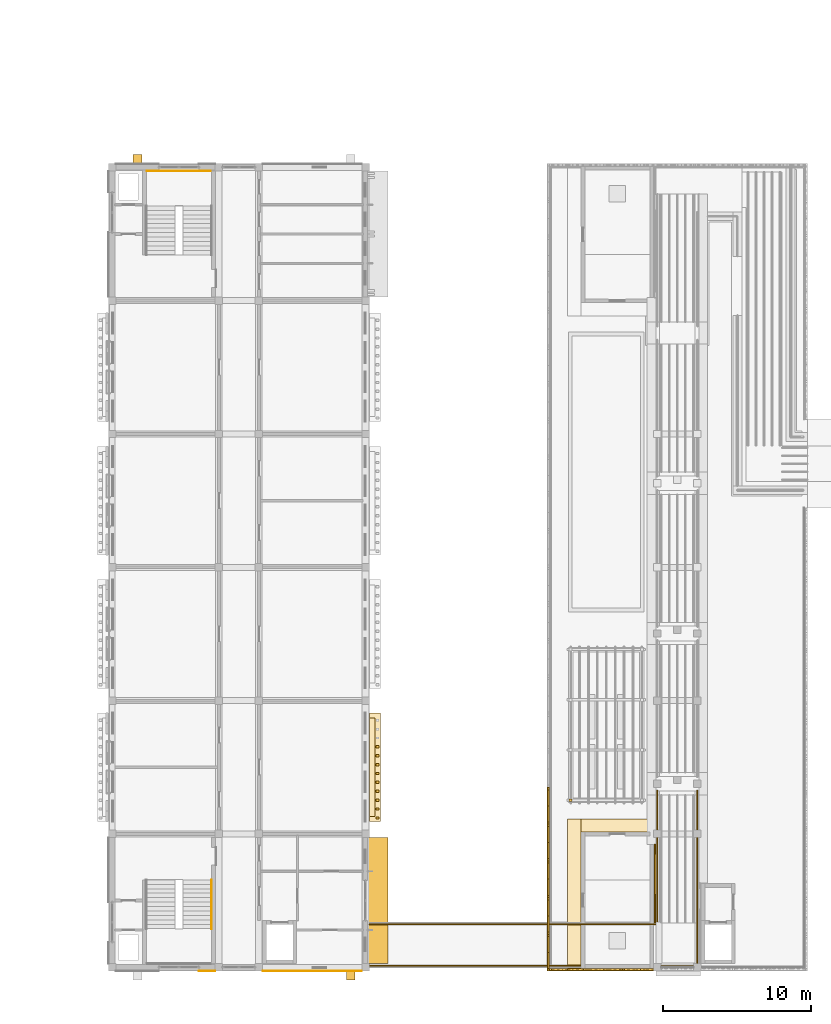
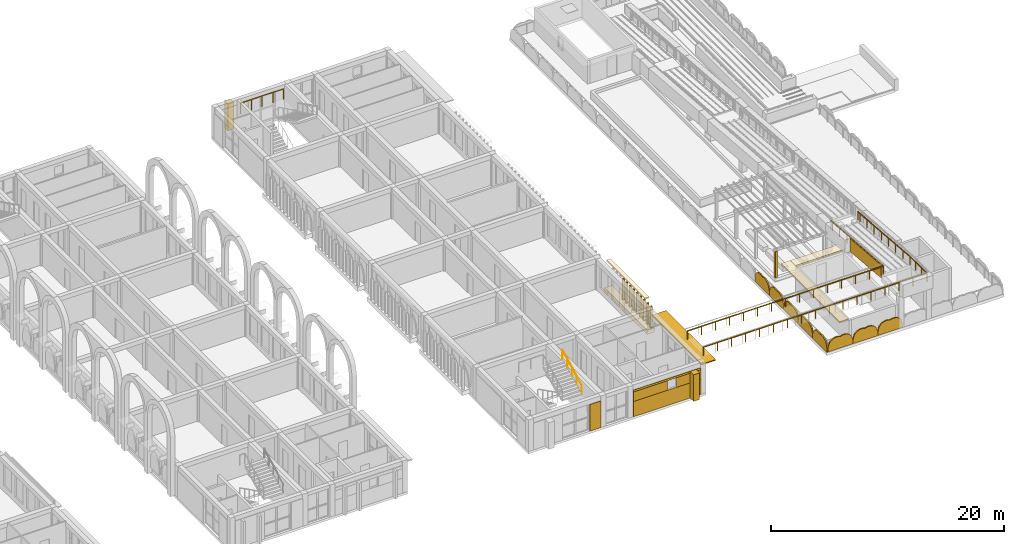
# One storey, part 62 of 70: 22 coverings, 9 shading devices, 4 railings.
"""IFC4 building model written with IfcOpenShell, lengths in metres."""

from ifc_helpers import new_model, si_unit, direction, frame, origin, origin_2d, place, context, subcontext, project, spatial, polyline, rectangle, circle, outline, extrude, material, layer, layer_set, type_object, element, save


model = new_model("IFC4")

# Units and contexts
model_context = context("Model", 3, precision=1e-05, world=origin(), true_north=direction((0.0, 1.0)))
body_context = subcontext(model_context, "Body", "Model", "MODEL_VIEW")
ifc_project = project(units=[si_unit("LENGTHUNIT", "METRE"), si_unit("AREAUNIT", "SQUARE_METRE"), si_unit("VOLUMEUNIT", "CUBIC_METRE"), si_unit("PLANEANGLEUNIT", "RADIAN"), si_unit("MASSUNIT", "GRAM", prefix="KILO")], contexts=[model_context])

# Site, building, storey
site_placement = place(None, origin())
site = spatial("IfcSite", under=ifc_project, at=site_placement, CompositionType="ELEMENT")
building_placement = place(site_placement, origin())
building = spatial("IfcBuilding", under=site, at=building_placement, Name="Elbe Cascade School", CompositionType="ELEMENT")
storey_placement = place(building_placement, frame((0.0, 0.0, 8.10009765625)))
storey = spatial("IfcBuildingStorey", under=building, at=storey_placement, Name="L02", CompositionType="ELEMENT", Elevation=8.10009765625)

# Railings
ifc_material_1 = material(Name="Steel S355J2H, painted", Category="steel")
railing_type_1 = type_object("IfcRailingType", Name="Bar stair guard 1100", PredefinedType="GUARDRAIL", material=ifc_material_1)
railing_1_placement = place(storey_placement, frame((130.56005859375, 59.760009765625, 1.7998046875)))
element("IfcRailing", 1, at=railing_1_placement, inside=storey, type_object=railing_type_1, Name="Stair guard C2.N", PredefinedType="GUARDRAIL", context=body_context, shape_type="SweptSolid", body=[
    extrude(circle(Radius=0.02392578125, at=origin_2d()), frame((0.0, 0.0, 1.09619140625), z_axis=(1.0, 0.0, 0.0), x_axis=(0.0, 1.0, 0.0)), (0.0, 0.0, 1.0), 4.280029296875),
    extrude(circle(Radius=0.02099609375, at=origin_2d()), origin(), (0.0, 0.0, 1.0), 1.072021484375),
    extrude(circle(Radius=0.02099609375, at=origin_2d()), frame((1.070068359375, 0.0, 0.0)), (0.0, 0.0, 1.0), 1.072021484375),
    extrude(circle(Radius=0.02099609375, at=origin_2d()), frame((2.14013671875, 0.0, 0.0)), (0.0, 0.0, 1.0), 1.072021484375),
    extrude(circle(Radius=0.02099609375, at=origin_2d()), frame((3.2099609375, 0.0, 0.0)), (0.0, 0.0, 1.0), 1.072021484375),
    extrude(circle(Radius=0.02099609375, at=origin_2d()), frame((4.280029296875, 0.0, 0.0)), (0.0, 0.0, 1.0), 1.072021484375),
])
ifc_material_2 = material(Name="Steel S355J2H, painted", Category="steel")
railing_type_2 = type_object("IfcRailingType", Name="Bar stair handrail 900", PredefinedType="HANDRAIL", material=ifc_material_2)
railing_2_placement = place(storey_placement, frame((134.89990234375, 8.60009765625, 1.949951171875)))
element("IfcRailing", 2, at=railing_2_placement, inside=storey, type_object=railing_type_2, Name="Stair handrail C2.S", PredefinedType="HANDRAIL", context=body_context, shape_type="SweptSolid", body=[
    extrude(circle(Radius=0.02392578125, at=origin_2d()), frame((0.0, 0.0, 0.8759765625), z_axis=(0.0, 0.894427191, 0.4472135955), x_axis=(-1.0, 0.0, 0.0)), (0.0, 0.0, 1.0), 3.689208984375),
    extrude(circle(Radius=0.02099609375, at=origin_2d()), origin(), (0.0, 0.0, 1.0), 0.851806640625),
    extrude(circle(Radius=0.02099609375, at=origin_2d()), frame((0.0, 0.824951171875, 0.41259765625)), (0.0, 0.0, 1.0), 0.851806640625),
    extrude(circle(Radius=0.02099609375, at=origin_2d()), frame((0.0, 1.64990234375, 0.824951171875)), (0.0, 0.0, 1.0), 0.851806640625),
    extrude(circle(Radius=0.02099609375, at=origin_2d()), frame((0.0, 2.474853515625, 1.2373046875)), (0.0, 0.0, 1.0), 0.851806640625),
    extrude(circle(Radius=0.02099609375, at=origin_2d()), frame((0.0, 3.2998046875, 1.64990234375)), (0.0, 0.0, 1.0), 0.851806640625),
])

# Shading devices
ifc_material_3 = material(Name="Precast concrete C40/50", Category="concrete")
ifc_layer_1 = layer(ifc_material_3, 0.1201171875)
ifc_layer_set_1 = layer_set([ifc_layer_1], Name="Precast concrete C40/50")
shading_device_type_1 = type_object("IfcShadingDeviceType", Name="Bars envelope Attic jali screen, pointed arch top, pierced precast concrete, 1200 high", PredefinedType="USERDEFINED", material=ifc_layer_set_1)
shading_device_1_placement = place(storey_placement, frame((157.580078125, 5.75, 0.39990234375), z_axis=(-1.0, 0.0, 0.0), x_axis=(0.0, 0.296914729778, 0.954903996871)))
element("IfcShadingDevice", 3, at=shading_device_1_placement, inside=storey, type_object=shading_device_type_1, Name="Attic jali screen SD1 D.L02.w1", ObjectType="JALI", PredefinedType="USERDEFINED", context=body_context, shape_type="SweptSolid", body=[
    extrude(outline(polyline([(0.0, 0.0), (0.5213118135497831, 2.7755575615628914e-17), (0.7310001580840946, 0.09715085393298623), (0.8774375509870718, 0.2137130818339548), (0.9849420905019789, 0.3423809640007578), (1.0621396183974305, 0.48047240936850977), (1.1125270975525943, 0.6269000837217165), (1.1363376588260814, 0.7815914981126785), (1.1317062553490027, 0.9451265641229927), (1.2283261334568831, 1.0774345576902884), (1.296431557866498, 1.218353072018325), (1.3379600643944363, 1.3675353263841168), (1.3526785221820867, 1.5250538097353636), (1.3370899683502817, 1.6919958562875592), (1.2825685611304065, 1.8710435571055892), (1.1649411801745964, 2.069968893608824), (0.7355453523079154, 2.365578822327823), (0.3536770059027736, 2.4843157186597797), (-0.3818683464051418, 0.11873689633195678), (0.0, 0.0)])), origin(), (0.0, 0.0, -1.0), 0.1201171875),
])
shading_device_2_placement = place(storey_placement, frame((157.580078125, 8.227294921875, 0.39990234375), z_axis=(-1.0, 0.0, 0.0), x_axis=(0.0, 0.296914729778, 0.954903996871)))
element("IfcShadingDevice", 4, at=shading_device_2_placement, inside=storey, type_object=shading_device_type_1, Name="Attic jali screen SD1 D.L02.w2", ObjectType="JALI", PredefinedType="USERDEFINED", context=body_context, shape_type="SweptSolid", body=[
    extrude(outline(polyline([(0.0, 0.0), (0.5213118135497831, 2.7755575615628914e-17), (0.730927669136395, 0.09691772307437502), (0.8774375509870718, 0.2137130818339548), (0.9849420905019789, 0.3423809640007578), (1.0621396183974305, 0.48047240936850977), (1.1125270975525943, 0.6269000837217165), (1.1363376588260814, 0.7815914981126785), (1.1317062553490027, 0.9451265641229927), (1.2282536445091836, 1.0772014268316772), (1.296431557866498, 1.218353072018325), (1.3379600643944363, 1.3675353263841168), (1.3526785221820867, 1.5250538097353636), (1.3370899683502817, 1.6919958562875592), (1.282641050078106, 1.8712766879642004), (1.1649411801745964, 2.069968893608824), (0.7355453523079154, 2.365578822327823), (0.3536770059027736, 2.4843157186597797), (-0.3818683464051418, 0.11873689633195678), (0.0, 0.0)])), origin(), (0.0, 0.0, -1.0), 0.1201171875),
])
shading_device_3_placement = place(storey_placement, frame((157.580078125, 10.70458984375, 0.39990234375), z_axis=(-1.0, 0.0, 0.0), x_axis=(0.0, 0.296914729778, 0.954903996871)))
element("IfcShadingDevice", 5, at=shading_device_3_placement, inside=storey, type_object=shading_device_type_1, Name="Attic jali screen SD1 D.L02.w3", ObjectType="JALI", PredefinedType="USERDEFINED", context=body_context, shape_type="SweptSolid", body=[
    extrude(outline(polyline([(0.0, 0.0), (0.5213118135497831, 2.7755575615628914e-17), (0.730927669136395, 0.09691772307437502), (0.8773650620393721, 0.21347995097534359), (0.9849420905019789, 0.3423809640007578), (1.0621396183974305, 0.48047240936850977), (1.1125270975525943, 0.6269000837217165), (1.1363376588260814, 0.7815914981126785), (1.1317062553490027, 0.9451265641229927), (1.2282536445091836, 1.0772014268316772), (1.2963590689187985, 1.218119941159714), (1.3379600643944363, 1.3675353263841168), (1.3526785221820867, 1.5250538097353636), (1.3370899683502817, 1.6919958562875592), (1.282641050078106, 1.8712766879642004), (1.1649411801745964, 2.069968893608824), (0.7355453523079154, 2.365578822327823), (0.3536770059027736, 2.4843157186597797), (-0.3818683464051418, 0.11873689633195678), (0.0, 0.0)])), origin(), (0.0, 0.0, -1.0), 0.1201171875),
])
shading_device_4_placement = place(storey_placement, frame((157.580078125, 13.181884765625, 0.39990234375), z_axis=(-1.0, 0.0, 0.0), x_axis=(0.0, 0.296914729778, 0.954903996871)))
element("IfcShadingDevice", 6, at=shading_device_4_placement, inside=storey, type_object=shading_device_type_1, Name="Attic jali screen SD1 D.L02.w4", ObjectType="JALI", PredefinedType="USERDEFINED", context=body_context, shape_type="SweptSolid", body=[
    extrude(outline(polyline([(0.0, 0.0), (0.5213118135497831, 2.7755575615628914e-17), (0.730927669136395, 0.09691772307437502), (0.8773650620393721, 0.21347995097534359), (0.9848696015542793, 0.3421478331421466), (1.0621396183974305, 0.48047240936850977), (1.1125270975525943, 0.6269000837217165), (1.1363376588260814, 0.7815914981126785), (1.1317062553490027, 0.9451265641229927), (1.2282536445091836, 1.0772014268316772), (1.2963590689187985, 1.218119941159714), (1.3379600643944363, 1.3675353263841168), (1.3526785221820867, 1.5250538097353636), (1.3370899683502817, 1.6919958562875592), (1.2825685611304065, 1.8710435571055892), (1.1649411801745964, 2.069968893608824), (0.7355453523079154, 2.365578822327823), (0.3536770059027736, 2.4843157186597797), (-0.3818683464051418, 0.11873689633195678), (0.0, 0.0)])), origin(), (0.0, 0.0, -1.0), 0.1201171875),
])
shading_device_5_placement = place(storey_placement, frame((157.580078125, 15.6591796875, 0.39990234375), z_axis=(-1.0, 0.0, 0.0), x_axis=(0.0, 0.296914729778, 0.954903996871)))
element("IfcShadingDevice", 7, at=shading_device_5_placement, inside=storey, type_object=shading_device_type_1, Name="Attic jali screen SD1 D.L02.w5", ObjectType="JALI", PredefinedType="USERDEFINED", context=body_context, shape_type="SweptSolid", body=[
    extrude(outline(polyline([(0.0, 0.0), (0.5213118135497831, 2.7755575615628914e-17), (0.730927669136395, 0.09691772307437502), (0.8773650620393721, 0.21347995097534359), (0.9848696015542793, 0.3421478331421466), (1.0620671294497308, 0.48023927850989856), (1.1125270975525943, 0.6269000837217165), (1.1363376588260814, 0.7815914981126785), (1.1317062553490027, 0.9451265641229927), (1.2282536445091836, 1.0772014268316772), (1.296431557866498, 1.218353072018325), (1.3379600643944363, 1.3675353263841168), (1.3526785221820867, 1.5250538097353636), (1.3370899683502817, 1.6919958562875592), (1.2825685611304065, 1.8710435571055892), (1.1648686912268968, 2.069735762750213), (0.7355453523079154, 2.365578822327823), (0.3536770059027736, 2.4843157186597797), (-0.3818683464051418, 0.11873689633195678), (0.0, 0.0)])), origin(), (0.0, 0.0, -1.0), 0.1201171875),
])
shading_device_6_placement = place(storey_placement, frame((157.699951171875, 5.780029296875, 0.0), z_axis=(0.0, -1.0, 0.0), x_axis=(1.0, 0.0, 0.0)))
element("IfcShadingDevice", 8, at=shading_device_6_placement, inside=storey, type_object=shading_device_type_1, Name="Attic jali screen SD1 D.L02.s1", ObjectType="JALI", PredefinedType="USERDEFINED", context=body_context, shape_type="SweptSolid", body=[
    extrude(outline(polyline([(0.0, 0.0), (2.471435546875, 0.0), (2.471435546875, 0.39990234375), (2.317138671875, 0.89697265625), (2.16259765625, 1.068115234375), (2.008056640625, 1.173095703125), (1.853759765625, 1.237548828125), (1.69921875, 1.2705078125), (1.544677734375, 1.275390625), (1.39013671875, 1.252685546875), (1.23583984375, 1.199951171875), (1.081298828125, 1.252685546875), (0.9267578125, 1.275390625), (0.7724609375, 1.2705078125), (0.617919921875, 1.237548828125), (0.46337890625, 1.173095703125), (0.308837890625, 1.068115234375), (0.154541015625, 0.89697265625), (0.0, 0.39990234375), (0.0, 0.0)])), origin(), (0.0, 0.0, -1.0), 0.1201171875),
])
shading_device_7_placement = place(storey_placement, frame((160.17138671875, 5.780029296875, 0.0), z_axis=(0.0, -1.0, 0.0), x_axis=(1.0, 0.0, 0.0)))
element("IfcShadingDevice", 9, at=shading_device_7_placement, inside=storey, type_object=shading_device_type_1, Name="Attic jali screen SD1 D.L02.s2", ObjectType="JALI", PredefinedType="USERDEFINED", context=body_context, shape_type="SweptSolid", body=[
    extrude(outline(polyline([(0.0, 0.0), (2.471435546875, 0.0), (2.471435546875, 0.39990234375), (2.31689453125, 0.89697265625), (2.16259765625, 1.068115234375), (2.008056640625, 1.173095703125), (1.853515625, 1.237548828125), (1.69921875, 1.2705078125), (1.544677734375, 1.275390625), (1.39013671875, 1.252685546875), (1.235595703125, 1.199951171875), (1.081298828125, 1.252685546875), (0.9267578125, 1.275390625), (0.7724609375, 1.2705078125), (0.617919921875, 1.237548828125), (0.46337890625, 1.173095703125), (0.30908203125, 1.068115234375), (0.154541015625, 0.89697265625), (0.0, 0.39990234375), (0.0, 0.0)])), origin(), (0.0, 0.0, -1.0), 0.1201171875),
])
shading_device_8_placement = place(storey_placement, frame((162.642822265625, 5.780029296875, 0.0), z_axis=(0.0, -1.0, 0.0), x_axis=(1.0, 0.0, 0.0)))
element("IfcShadingDevice", 10, at=shading_device_8_placement, inside=storey, type_object=shading_device_type_1, Name="Attic jali screen SD1 D.L02.s3", ObjectType="JALI", PredefinedType="USERDEFINED", context=body_context, shape_type="SweptSolid", body=[
    extrude(outline(polyline([(0.0, 0.0), (2.471435546875, 0.0), (2.471435546875, 0.39990234375), (2.31689453125, 0.89697265625), (2.16259765625, 1.068115234375), (2.008056640625, 1.173095703125), (1.853515625, 1.237548828125), (1.69921875, 1.2705078125), (1.544677734375, 1.275390625), (1.39013671875, 1.252685546875), (1.23583984375, 1.199951171875), (1.081298828125, 1.252685546875), (0.9267578125, 1.275390625), (0.7724609375, 1.2705078125), (0.617919921875, 1.237548828125), (0.46337890625, 1.173095703125), (0.30908203125, 1.068115234375), (0.154541015625, 0.89697265625), (0.0, 0.39990234375), (0.0, 0.0)])), origin(), (0.0, 0.0, -1.0), 0.1201171875),
])
ifc_material_4 = material(Name="Precast concrete C30/37", Category="concrete")
ifc_layer_2 = layer(ifc_material_4, 0.1201171875)
ifc_layer_set_2 = layer_set([ifc_layer_2], Name="Precast concrete C30/37")
shading_device_type_2 = type_object("IfcShadingDeviceType", Name="Bars envelope Chhajja eave, precast concrete, 1400 x 120", PredefinedType="USERDEFINED", material=ifc_layer_set_2)
shading_device_9_placement = place(storey_placement, frame((146.1201171875, 10.5, 2.6298828125), z_axis=(0.0, 0.0, 1.0), x_axis=(0.0, 1.0, 0.0)))
element("IfcShadingDevice", 11, at=shading_device_9_placement, inside=storey, type_object=shading_device_type_2, Name="Chhajja eave SD8 C.L02.e1", ObjectType="CHHAJJA", PredefinedType="USERDEFINED", context=body_context, shape_type="SweptSolid", body=[
    extrude(rectangle(XDim=8.5, YDim=1.39990234375, at=origin_2d()), origin(), (0.0, 0.0, 1.0), 0.1201171875),
])

# Coverings
ifc_material_5 = material(Name="Precast concrete C40/50", Category="concrete")
covering_type_1 = type_object("IfcCoveringType", Name="Bars envelope Precast concrete gable fin, 600 wide, 600 deep", PredefinedType="CLADDING", material=ifc_material_5)
for number, where, z_axis, x_axis, name in (
    (12, (144.300048828125, 5.43994140625, 0.0), (0.0, 0.0, 1.0), (1.0, 0.0, 0.0), "Fin CV63 C.L02.s.2"),
    (13, (129.89990234375, 60.56005859375, 0.0), (0.0, 0.0, 1.0), (1.0, 0.0, 0.0), "Fin CV63 C.L02.n.1"),
):
    element("IfcCovering", number, at=place(storey_placement, frame(where, z_axis=z_axis, x_axis=x_axis)), inside=storey, type_object=covering_type_1, Name=name, PredefinedType="CLADDING", context=body_context, shape_type="SweptSolid", body=[
        extrude(rectangle(XDim=0.60009765625, YDim=0.60009765625, at=origin_2d()), origin(), (0.0, 0.0, 1.0), 2.800048828125),
    ])
ifc_material_6 = material(Name="Sandstone - red", Category="masonry")
ifc_layer_3 = layer(ifc_material_6, 0.0400390625)
ifc_layer_set_3 = layer_set([ifc_layer_3], Name="Sandstone - red")
covering_type_2 = type_object("IfcCoveringType", Name="Bars envelope Sandstone cladding, red, 40 mm", PredefinedType="CLADDING", material=ifc_layer_set_3)
covering_1_placement = place(storey_placement, frame((134.60009765625, 5.760009765625, 0.0), z_axis=(0.0, 0.0, 1.0), x_axis=(1.0, 0.0, 0.0)))
element("IfcCovering", 14, at=covering_1_placement, inside=storey, type_object=covering_type_2, Name="Sandstone cladding CV48 C.L02.s.1b.1", PredefinedType="CLADDING", context=body_context, shape_type="SweptSolid", body=[
    extrude(rectangle(XDim=1.10009765625, YDim=0.0400390625, at=origin_2d()), origin(), (0.0, 0.0, 1.0), 2.800048828125),
])
covering_2_placement = place(storey_placement, frame((141.699951171875, 5.760009765625, -0.000244140625), z_axis=(0.0, 0.0, 1.0), x_axis=(1.0, 0.0, 0.0)))
element("IfcCovering", 15, at=covering_2_placement, inside=storey, type_object=covering_type_2, Name="Sandstone cladding CV48 C.L02.s.3.1", PredefinedType="CLADDING", context=body_context, shape_type="SweptSolid", body=[
    extrude(rectangle(XDim=6.699951171875, YDim=0.0400390625, at=origin_2d()), origin(), (0.0, 0.0, 1.0), 1.60009765625),
])
covering_3_placement = place(storey_placement, frame((140.050048828125, 5.760009765625, 1.599853515625), z_axis=(0.0, 0.0, 1.0), x_axis=(1.0, 0.0, 0.0)))
element("IfcCovering", 16, at=covering_3_placement, inside=storey, type_object=covering_type_2, Name="Sandstone cladding CV48 C.L02.s.3.2", PredefinedType="CLADDING", context=body_context, shape_type="SweptSolid", body=[
    extrude(rectangle(XDim=3.39990234375, YDim=0.0400390625, at=origin_2d()), origin(), (0.0, 0.0, 1.0), 1.0),
])
covering_4_placement = place(storey_placement, frame((143.85009765625, 5.760009765625, 1.599853515625), z_axis=(0.0, 0.0, 1.0), x_axis=(1.0, 0.0, 0.0)))
element("IfcCovering", 17, at=covering_4_placement, inside=storey, type_object=covering_type_2, Name="Sandstone cladding CV48 C.L02.s.3.3", PredefinedType="CLADDING", context=body_context, shape_type="SweptSolid", body=[
    extrude(rectangle(XDim=2.39990234375, YDim=0.0400390625, at=origin_2d()), origin(), (0.0, 0.0, 1.0), 1.0),
])
covering_5_placement = place(storey_placement, frame((141.699951171875, 5.760009765625, 2.60009765625), z_axis=(0.0, 0.0, 1.0), x_axis=(1.0, 0.0, 0.0)))
element("IfcCovering", 18, at=covering_5_placement, inside=storey, type_object=covering_type_2, Name="Sandstone cladding CV48 C.L02.s.3.4", PredefinedType="CLADDING", context=body_context, shape_type="SweptSolid", body=[
    extrude(rectangle(XDim=6.699951171875, YDim=0.0400390625, at=origin_2d()), origin(), (0.0, 0.0, 1.0), 0.199951171875),
])
ifc_material_7 = material(Name="Sandstone - red", Category="masonry")
covering_type_3 = type_object("IfcCoveringType", Name="Bars envelope Sandstone floor ledge, 400 deep", PredefinedType="CLADDING", material=ifc_material_7)
covering_6_placement = place(storey_placement, frame((145.75, 19.5, 3.4599609375), z_axis=(0.0, 0.0, 1.0), x_axis=(0.0, 1.0, 0.0)))
element("IfcCovering", 19, at=covering_6_placement, inside=storey, type_object=covering_type_3, Name="Floor ledge CV64 C.L02.e1.1", PredefinedType="CLADDING", context=body_context, shape_type="SweptSolid", body=[
    extrude(rectangle(XDim=6.639892578125, YDim=0.39990234375, at=origin_2d()), origin(), (0.0, 0.0, 1.0), 0.139892578125),
])
ifc_material_8 = material(Name="Sandstone - red", Category="masonry")
covering_type_4 = type_object("IfcCoveringType", Name="Bars envelope Sandstone planter kerb, 750 deep", PredefinedType="CLADDING", material=ifc_material_8)
covering_7_placement = place(storey_placement, frame((145.925048828125, 19.5, 0.0), z_axis=(0.0, 0.0, 1.0), x_axis=(0.0, 1.0, 0.0)))
element("IfcCovering", 20, at=covering_7_placement, inside=storey, type_object=covering_type_4, Name="Planter kerb CV65 C.L02.e1.1", PredefinedType="CLADDING", context=body_context, shape_type="SweptSolid", body=[
    extrude(rectangle(XDim=7.340087890625, YDim=0.75, at=origin_2d()), origin(), (0.0, 0.0, 1.0), 0.449951171875),
])
ifc_material_9 = material(Name="Sandstone - red", Category="masonry")
covering_type_5 = type_object("IfcCoveringType", Name="Bars envelope Sandstone slat, 160 wide, 200 deep", PredefinedType="CLADDING", material=ifc_material_9)
for number, where, z_axis, x_axis, name in (
    (21, (146.10009765625, 16.080078125, 0.44970703125), (0.0, 0.0, 1.0), (0.0, 1.0, 0.0), "Slat CV66 C.L02.e1.1.1"),
    (22, (146.10009765625, 16.679931640625, 0.44970703125), (0.0, 0.0, 1.0), (0.0, 1.0, 0.0), "Slat CV66 C.L02.e1.1.2"),
    (23, (146.10009765625, 17.280029296875, 0.44970703125), (0.0, 0.0, 1.0), (0.0, 1.0, 0.0), "Slat CV66 C.L02.e1.1.3"),
    (24, (146.10009765625, 17.8798828125, 0.44970703125), (0.0, 0.0, 1.0), (0.0, 1.0, 0.0), "Slat CV66 C.L02.e1.1.4"),
    (25, (146.10009765625, 18.47998046875, 0.44970703125), (0.0, 0.0, 1.0), (0.0, 1.0, 0.0), "Slat CV66 C.L02.e1.1.5"),
    (26, (146.10009765625, 19.080078125, 0.44970703125), (0.0, 0.0, 1.0), (0.0, 1.0, 0.0), "Slat CV66 C.L02.e1.1.6"),
    (27, (146.10009765625, 19.679931640625, 0.44970703125), (0.0, 0.0, 1.0), (0.0, 1.0, 0.0), "Slat CV66 C.L02.e1.1.7"),
    (28, (146.10009765625, 20.280029296875, 0.44970703125), (0.0, 0.0, 1.0), (0.0, 1.0, 0.0), "Slat CV66 C.L02.e1.1.8"),
    (29, (146.10009765625, 20.8798828125, 0.44970703125), (0.0, 0.0, 1.0), (0.0, 1.0, 0.0), "Slat CV66 C.L02.e1.1.9"),
):
    element("IfcCovering", number, at=place(storey_placement, frame(where, z_axis=z_axis, x_axis=x_axis)), inside=storey, type_object=covering_type_5, Name=name, PredefinedType="CLADDING", context=body_context, shape_type="SweptSolid", body=[
        extrude(rectangle(XDim=0.159912109375, YDim=0.199951171875, at=origin_2d()), origin(), (0.0, 0.0, 1.0), 2.179931640625),
    ])
ifc_material_10 = material(Name="Steel S355J2H, hot-dip galvanised", Category="steel")
covering_type_6 = type_object("IfcCoveringType", Name="Pergola post 200x2800", PredefinedType="USERDEFINED", material=ifc_material_10)
covering_8_placement = place(storey_placement, frame((0.0, 0.0, 0.35986328125)))
element("IfcCovering", 30, at=covering_8_placement, inside=storey, type_object=covering_type_6, Name="Pergola D.w1 post 1w", ObjectType="PERGOLA POST", PredefinedType="USERDEFINED", context=body_context, shape_type="SweptSolid", body=[
    extrude(outline(polyline([(159.050048828125, 17.175048828125), (159.25, 17.175048828125), (159.25, 17.375), (159.050048828125, 17.375), (159.050048828125, 17.175048828125)])), origin(), (0.0, 0.0, 1.0), 2.800048828125),
])
ifc_material_11 = material(Name="Concrete C30/37 precast parapet", Category="concrete")
ifc_layer_4 = layer(ifc_material_11, 0.10009765625)
ifc_layer_set_4 = layer_set([ifc_layer_4], Name="Concrete C30/37 precast parapet")
covering_type_7 = type_object("IfcCoveringType", Name="Ramp parapet beside a wall 100", PredefinedType="CLADDING", material=ifc_layer_set_4)
covering_9_placement = place(storey_placement, frame((164.800048828125, 9.0, 4.719970703125), z_axis=(0.0, 0.08304168084, 0.996546074822), x_axis=(0.0, 0.996546074822, -0.08304168084)))
element("IfcCovering", 31, at=covering_9_placement, inside=storey, type_object=covering_type_7, Name="Ramp D flight 1 parapet w1", PredefinedType="CLADDING", context=body_context, shape_type="SweptSolid", body=[
    extrude(outline(polyline([(0.0, 0.0), (5.318418246814405, 0.0), (5.318418246814405, -0.09985351562500003), (0.0, -0.09985351562500003), (0.0, 0.0)])), origin(), (0.08304168084, 0.0, -0.996546074822), 1.360107421875),
])
ifc_material_12 = material(Name="Precast concrete C30/37", Category="concrete")
ifc_layer_5 = layer(ifc_material_12, 0.14990234375)
ifc_layer_set_5 = layer_set([ifc_layer_5], Name="Precast concrete C30/37")
covering_type_8 = type_object("IfcCoveringType", Name="Roof head eave, precast concrete, 900 x 150", PredefinedType="USERDEFINED", material=ifc_layer_set_5)
covering_10_placement = place(storey_placement, frame((0.0, 0.0, 2.5)))
element("IfcCovering", 32, at=covering_10_placement, inside=storey, type_object=covering_type_8, Name="Stair head eave D.L02.south.w", ObjectType="EAVE", PredefinedType="USERDEFINED", context=body_context, shape_type="SweptSolid", body=[
    extrude(outline(polyline([(158.949951171875, 5.929931640625), (159.85009765625, 5.929931640625), (159.85009765625, 16.02490234375), (158.949951171875, 16.02490234375), (158.949951171875, 5.929931640625)])), origin(), (0.0, 0.0, 1.0), 0.14990234375),
])
covering_11_placement = place(storey_placement, frame((0.0, 0.0, 2.5)))
element("IfcCovering", 33, at=covering_11_placement, inside=storey, type_object=covering_type_8, Name="Stair head eave D.L02.south.i", ObjectType="EAVE", PredefinedType="USERDEFINED", context=body_context, shape_type="SweptSolid", body=[
    extrude(outline(polyline([(159.85009765625, 15.125), (164.75, 15.125), (164.75, 16.02490234375), (159.85009765625, 16.02490234375), (159.85009765625, 15.125)])), origin(), (0.0, 0.0, 1.0), 0.14990234375),
])

# Railings
ifc_material_13 = material(Name="Steel S355J2H", Category="steel")
railing_type_3 = type_object("IfcRailingType", Name="Track handrail 900", PredefinedType="HANDRAIL", material=ifc_material_13)
railing_3_placement = place(storey_placement, frame((145.550048828125, 6.10009765625, 3.719970703125)))
element("IfcRailing", 34, at=railing_3_placement, inside=storey, type_object=railing_type_3, Name="Track handrail RL5 C-D south and east", PredefinedType="HANDRAIL", context=body_context, shape_type="SweptSolid", body=[
    extrude(circle(Radius=0.0400390625, at=origin_2d()), frame((0.0, 0.0, 0.85986328125), z_axis=(1.0, 0.0, 0.0), x_axis=(0.0, 1.0, 0.0)), (0.0, 0.0, 1.0), 22.14990234375),
    extrude(circle(Radius=0.0400390625, at=origin_2d()), frame((22.14990234375, 0.0, 0.85986328125), z_axis=(0.0, 1.0, 0.0), x_axis=(-1.0, 0.0, 0.0)), (0.0, 0.0, 1.0), 2.89990234375),
    extrude(circle(Radius=0.0400390625, at=origin_2d()), frame((22.14990234375, 2.89990234375, 0.85986328125), z_axis=(0.0, 0.996545952447, -0.08304314939), x_axis=(-1.0, 0.0, 0.0)), (0.0, 0.0, 1.0), 8.669921875),
    extrude(circle(Radius=0.0400390625, at=origin_2d()), frame((22.14990234375, 11.539794921875, 0.139892578125), z_axis=(0.0, 1.0, 0.0), x_axis=(-1.0, 0.0, 0.0)), (0.0, 0.0, 1.0), 0.300048828125),
    extrude(circle(Radius=0.02099609375, at=origin_2d()), origin(), (0.0, 0.0, 1.0), 0.81982421875),
    extrude(circle(Radius=0.02099609375, at=origin_2d()), frame((1.38427734375, 0.0, 0.0)), (0.0, 0.0, 1.0), 0.81982421875),
    extrude(circle(Radius=0.02099609375, at=origin_2d()), frame((2.768798828125, 0.0, 0.0)), (0.0, 0.0, 1.0), 0.81982421875),
    extrude(circle(Radius=0.02099609375, at=origin_2d()), frame((4.153076171875, 0.0, 0.0)), (0.0, 0.0, 1.0), 0.81982421875),
    extrude(circle(Radius=0.02099609375, at=origin_2d()), frame((5.53759765625, 0.0, 0.0)), (0.0, 0.0, 1.0), 0.81982421875),
    extrude(circle(Radius=0.02099609375, at=origin_2d()), frame((6.921875, 0.0, 0.0)), (0.0, 0.0, 1.0), 0.81982421875),
    extrude(circle(Radius=0.02099609375, at=origin_2d()), frame((8.30615234375, 0.0, 0.0)), (0.0, 0.0, 1.0), 0.81982421875),
    extrude(circle(Radius=0.02099609375, at=origin_2d()), frame((9.690673828125, 0.0, 0.0)), (0.0, 0.0, 1.0), 0.81982421875),
    extrude(circle(Radius=0.02099609375, at=origin_2d()), frame((11.074951171875, 0.0, 0.0)), (0.0, 0.0, 1.0), 0.81982421875),
    extrude(circle(Radius=0.02099609375, at=origin_2d()), frame((12.459228515625, 0.0, 0.0)), (0.0, 0.0, 1.0), 0.81982421875),
    extrude(circle(Radius=0.02099609375, at=origin_2d()), frame((13.84375, 0.0, 0.0)), (0.0, 0.0, 1.0), 0.81982421875),
    extrude(circle(Radius=0.02099609375, at=origin_2d()), frame((15.22802734375, 0.0, 0.0)), (0.0, 0.0, 1.0), 0.81982421875),
    extrude(circle(Radius=0.02099609375, at=origin_2d()), frame((16.6123046875, 0.0, 0.0)), (0.0, 0.0, 1.0), 0.81982421875),
    extrude(circle(Radius=0.02099609375, at=origin_2d()), frame((17.996826171875, 0.0, 0.0)), (0.0, 0.0, 1.0), 0.81982421875),
    extrude(circle(Radius=0.02099609375, at=origin_2d()), frame((19.381103515625, 0.0, 0.0)), (0.0, 0.0, 1.0), 0.81982421875),
    extrude(circle(Radius=0.02099609375, at=origin_2d()), frame((20.765625, 0.0, 0.0)), (0.0, 0.0, 1.0), 0.81982421875),
    extrude(circle(Radius=0.02099609375, at=origin_2d()), frame((22.14990234375, 0.0, 0.0)), (0.0, 0.0, 1.0), 0.81982421875),
    extrude(circle(Radius=0.02099609375, at=origin_2d()), frame((22.14990234375, 0.966552734375, 0.0)), (0.0, 0.0, 1.0), 0.81982421875),
    extrude(circle(Radius=0.02099609375, at=origin_2d()), frame((22.14990234375, 1.933349609375, 0.0)), (0.0, 0.0, 1.0), 0.81982421875),
    extrude(circle(Radius=0.02099609375, at=origin_2d()), frame((22.14990234375, 2.89990234375, 0.0)), (0.0, 0.0, 1.0), 0.81982421875),
    extrude(circle(Radius=0.02099609375, at=origin_2d()), frame((22.14990234375, 4.13427734375, -0.102783203125)), (0.0, 0.0, 1.0), 0.81982421875),
    extrude(circle(Radius=0.02099609375, at=origin_2d()), frame((22.14990234375, 5.368408203125, -0.205810546875)), (0.0, 0.0, 1.0), 0.81982421875),
    extrude(circle(Radius=0.02099609375, at=origin_2d()), frame((22.14990234375, 6.602783203125, -0.30859375)), (0.0, 0.0, 1.0), 0.81982421875),
    extrude(circle(Radius=0.02099609375, at=origin_2d()), frame((22.14990234375, 7.8369140625, -0.411376953125)), (0.0, 0.0, 1.0), 0.81982421875),
    extrude(circle(Radius=0.02099609375, at=origin_2d()), frame((22.14990234375, 9.0712890625, -0.51416015625)), (0.0, 0.0, 1.0), 0.81982421875),
    extrude(circle(Radius=0.02099609375, at=origin_2d()), frame((22.14990234375, 10.305419921875, -0.6171875)), (0.0, 0.0, 1.0), 0.81982421875),
    extrude(circle(Radius=0.02099609375, at=origin_2d()), frame((22.14990234375, 11.539794921875, -0.719970703125)), (0.0, 0.0, 1.0), 0.81982421875),
    extrude(circle(Radius=0.02099609375, at=origin_2d()), frame((22.14990234375, 11.83984375, -0.719970703125)), (0.0, 0.0, 1.0), 0.81982421875),
])
railing_4_placement = place(storey_placement, frame((145.550048828125, 8.89990234375, 3.719970703125)))
element("IfcRailing", 35, at=railing_4_placement, inside=storey, type_object=railing_type_3, Name="Track handrail RL5 C-D north and west", PredefinedType="HANDRAIL", context=body_context, shape_type="SweptSolid", body=[
    extrude(circle(Radius=0.0400390625, at=origin_2d()), frame((0.0, 0.0, 0.85986328125), z_axis=(1.0, 0.0, 0.0), x_axis=(0.0, 1.0, 0.0)), (0.0, 0.0, 1.0), 19.449951171875),
    extrude(circle(Radius=0.0400390625, at=origin_2d()), frame((19.449951171875, 0.0, 0.85986328125), z_axis=(0.0, 1.0, 0.0), x_axis=(-1.0, 0.0, 0.0)), (0.0, 0.0, 1.0), 0.10009765625),
    extrude(circle(Radius=0.0400390625, at=origin_2d()), frame((19.449951171875, 0.10009765625, 0.85986328125), z_axis=(0.0, 0.996545952447, -0.08304314939), x_axis=(-1.0, 0.0, 0.0)), (0.0, 0.0, 1.0), 8.669921875),
    extrude(circle(Radius=0.0400390625, at=origin_2d()), frame((19.449951171875, 8.739990234375, 0.139892578125), z_axis=(0.0, 1.0, 0.0), x_axis=(-1.0, 0.0, 0.0)), (0.0, 0.0, 1.0), 0.300048828125),
    extrude(circle(Radius=0.02099609375, at=origin_2d()), origin(), (0.0, 0.0, 1.0), 0.81982421875),
    extrude(circle(Radius=0.02099609375, at=origin_2d()), frame((1.38916015625, 0.0, 0.0)), (0.0, 0.0, 1.0), 0.81982421875),
    extrude(circle(Radius=0.02099609375, at=origin_2d()), frame((2.778564453125, 0.0, 0.0)), (0.0, 0.0, 1.0), 0.81982421875),
    extrude(circle(Radius=0.02099609375, at=origin_2d()), frame((4.16796875, 0.0, 0.0)), (0.0, 0.0, 1.0), 0.81982421875),
    extrude(circle(Radius=0.02099609375, at=origin_2d()), frame((5.55712890625, 0.0, 0.0)), (0.0, 0.0, 1.0), 0.81982421875),
    extrude(circle(Radius=0.02099609375, at=origin_2d()), frame((6.9462890625, 0.0, 0.0)), (0.0, 0.0, 1.0), 0.81982421875),
    extrude(circle(Radius=0.02099609375, at=origin_2d()), frame((8.335693359375, 0.0, 0.0)), (0.0, 0.0, 1.0), 0.81982421875),
    extrude(circle(Radius=0.02099609375, at=origin_2d()), frame((9.72509765625, 0.0, 0.0)), (0.0, 0.0, 1.0), 0.81982421875),
    extrude(circle(Radius=0.02099609375, at=origin_2d()), frame((11.1142578125, 0.0, 0.0)), (0.0, 0.0, 1.0), 0.81982421875),
    extrude(circle(Radius=0.02099609375, at=origin_2d()), frame((12.503662109375, 0.0, 0.0)), (0.0, 0.0, 1.0), 0.81982421875),
    extrude(circle(Radius=0.02099609375, at=origin_2d()), frame((13.892822265625, 0.0, 0.0)), (0.0, 0.0, 1.0), 0.81982421875),
    extrude(circle(Radius=0.02099609375, at=origin_2d()), frame((15.2822265625, 0.0, 0.0)), (0.0, 0.0, 1.0), 0.81982421875),
    extrude(circle(Radius=0.02099609375, at=origin_2d()), frame((16.67138671875, 0.0, 0.0)), (0.0, 0.0, 1.0), 0.81982421875),
    extrude(circle(Radius=0.02099609375, at=origin_2d()), frame((18.060546875, 0.0, 0.0)), (0.0, 0.0, 1.0), 0.81982421875),
    extrude(circle(Radius=0.02099609375, at=origin_2d()), frame((19.449951171875, 0.0, 0.0)), (0.0, 0.0, 1.0), 0.81982421875),
    extrude(circle(Radius=0.02099609375, at=origin_2d()), frame((19.449951171875, 0.10009765625, 0.0)), (0.0, 0.0, 1.0), 0.81982421875),
    extrude(circle(Radius=0.02099609375, at=origin_2d()), frame((19.449951171875, 1.33447265625, -0.102783203125)), (0.0, 0.0, 1.0), 0.81982421875),
    extrude(circle(Radius=0.02099609375, at=origin_2d()), frame((19.449951171875, 2.568603515625, -0.205810546875)), (0.0, 0.0, 1.0), 0.81982421875),
    extrude(circle(Radius=0.02099609375, at=origin_2d()), frame((19.449951171875, 3.802978515625, -0.30859375)), (0.0, 0.0, 1.0), 0.81982421875),
    extrude(circle(Radius=0.02099609375, at=origin_2d()), frame((19.449951171875, 5.037109375, -0.411376953125)), (0.0, 0.0, 1.0), 0.81982421875),
    extrude(circle(Radius=0.02099609375, at=origin_2d()), frame((19.449951171875, 6.271484375, -0.51416015625)), (0.0, 0.0, 1.0), 0.81982421875),
    extrude(circle(Radius=0.02099609375, at=origin_2d()), frame((19.449951171875, 7.505615234375, -0.6171875)), (0.0, 0.0, 1.0), 0.81982421875),
    extrude(circle(Radius=0.02099609375, at=origin_2d()), frame((19.449951171875, 8.739990234375, -0.719970703125)), (0.0, 0.0, 1.0), 0.81982421875),
    extrude(circle(Radius=0.02099609375, at=origin_2d()), frame((19.449951171875, 9.0400390625, -0.719970703125)), (0.0, 0.0, 1.0), 0.81982421875),
])

save(model, "model.ifc")
